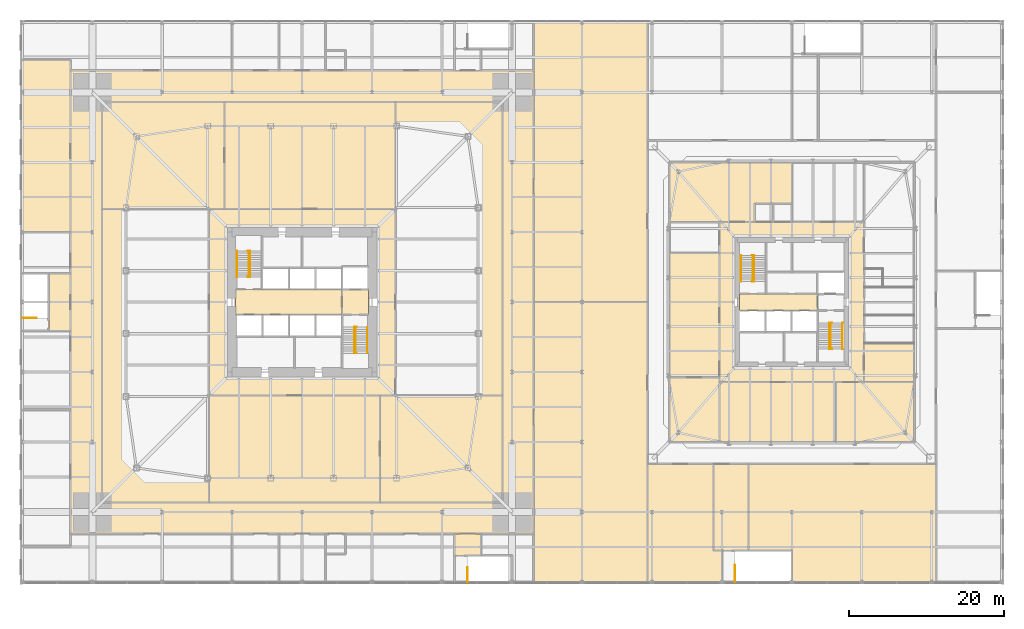
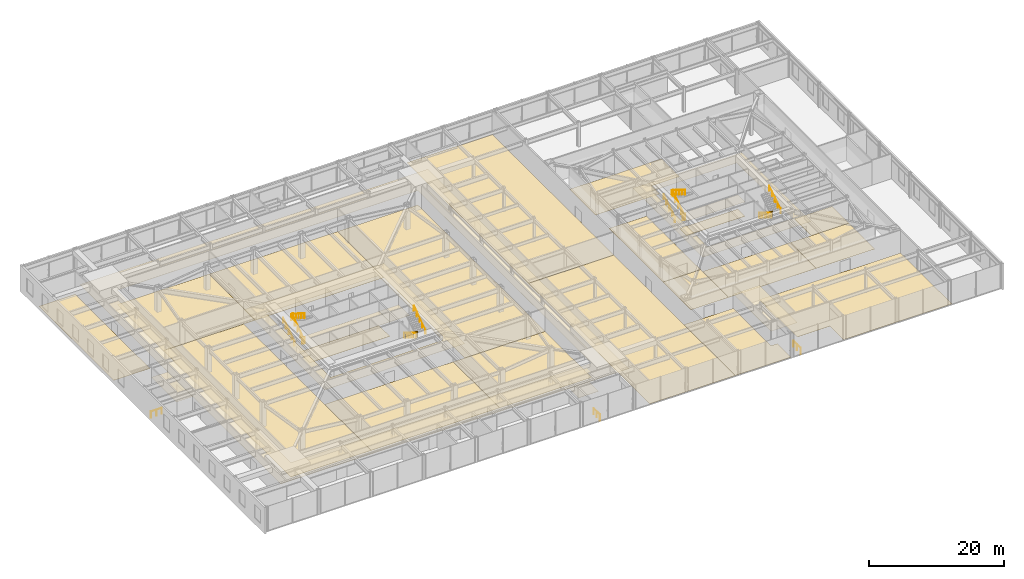
# One storey, part 29 of 30: 28 coverings, 15 railings.
"""IFC4 building model written with IfcOpenShell, lengths in metres."""

import ifcopenshell
import ifcopenshell.guid

model = None  # the IFC model being written
_history = None  # IfcOwnerHistory: only IFC2X3 demands one
_inside = {}  # id of a spatial element -> (the spatial element, [elements in it])
_under = {}  # id of a project, library or spatial element -> (it, [spatial elements below it])
_declared = {}  # id of a project -> (the project, [libraries it declares])
_typed = {}  # id of a type object -> (the type object, [elements of that type])
_made_of = {}  # id of a material, layer set ... -> (it, [elements and type objects made of it])


def new_model(schema):
    """Start an empty IFC model of exactly this schema.

    Asked for "IFC4X3", IfcOpenShell would pick the latest addendum, in which some entities
    have other attributes; the version numbers below select the first issue.
    IFC2X3 requires an IfcOwnerHistory on every rooted entity: one is made here for all.
    """
    global model, _history
    if schema == "IFC4X3":
        model = ifcopenshell.file(schema_version=(4, 3, 0, 0))
    else:
        model = ifcopenshell.file(schema=schema)
    _inside.clear()
    _under.clear()
    _declared.clear()
    _typed.clear()
    _made_of.clear()
    _history = None
    if model.schema == "IFC2X3":
        org = make("IfcOrganization", Name="unknown")
        user = make(
            "IfcPersonAndOrganization",
            ThePerson=make("IfcPerson", FamilyName="unknown"),
            TheOrganization=org,
        )
        app = make(
            "IfcApplication",
            ApplicationDeveloper=org,
            Version="unknown",
            ApplicationFullName="unknown",
            ApplicationIdentifier="unknown",
        )
        _history = make(
            "IfcOwnerHistory",
            OwningUser=user,
            OwningApplication=app,
            ChangeAction="ADDED",
            CreationDate=0,
        )
    return model


def make(cls, **values):
    """One entity of the class cls with the attributes given. An attribute that is None is left unset."""
    return model.create_entity(
        cls, **{name: value for name, value in values.items() if value is not None}
    )


def rooted(cls, **values):
    """An entity with a GlobalId (a new one), such as an element, a storey or a relation."""
    return make(cls, GlobalId=ifcopenshell.guid.new(), OwnerHistory=_history, **values)


def si_unit(unit_type, name, prefix=None):
    """IfcSIUnit, for example si_unit("LENGTHUNIT", "METRE", prefix="MILLI")."""
    return make("IfcSIUnit", UnitType=unit_type, Prefix=prefix, Name=name)


def assignment(units):
    """IfcUnitAssignment: the units of a project."""
    return None if units is None else make("IfcUnitAssignment", Units=units)


def point(xyz):
    """IfcCartesianPoint."""
    return None if xyz is None else make("IfcCartesianPoint", Coordinates=xyz)


def direction(xyz):
    """IfcDirection."""
    return None if xyz is None else make("IfcDirection", DirectionRatios=xyz)


def frame(location, z_axis=None, x_axis=None):
    """IfcAxis2Placement3D, a coordinate frame: its origin and axes. An axis left out is left unset."""
    return make(
        "IfcAxis2Placement3D",
        Location=point(location),
        Axis=direction(z_axis),
        RefDirection=direction(x_axis),
    )


def frame_2d(location, x_axis=None):
    """IfcAxis2Placement2D, a coordinate frame in the plane: its origin and x axis."""
    return make(
        "IfcAxis2Placement2D", Location=point(location), RefDirection=direction(x_axis)
    )


def origin():
    """The frame at (0, 0, 0) with its axes left unset."""
    return frame((0.0, 0.0, 0.0))


def origin_2d():
    """The frame at (0, 0) in the plane with its x axis left unset."""
    return frame_2d((0.0, 0.0))


def place(relative_to, where):
    """IfcLocalPlacement: puts the frame where relative to a parent placement (None: the world)."""
    return make(
        "IfcLocalPlacement", PlacementRelTo=relative_to, RelativePlacement=where
    )


def context(
    kind, dimensions, precision=None, world=None, true_north=None, identifier=None
):
    """IfcGeometricRepresentationContext, for example the 3D "Model" context."""
    return make(
        "IfcGeometricRepresentationContext",
        ContextIdentifier=identifier,
        ContextType=kind,
        CoordinateSpaceDimension=dimensions,
        Precision=precision,
        WorldCoordinateSystem=world,
        TrueNorth=true_north,
    )


def subcontext(parent, identifier, kind, view, scale=None):
    """IfcGeometricRepresentationSubContext, for example "Body" below "Model"."""
    return make(
        "IfcGeometricRepresentationSubContext",
        ContextIdentifier=identifier,
        ContextType=kind,
        ParentContext=parent,
        TargetScale=scale,
        TargetView=view,
    )


def project(units=None, contexts=None):
    """IfcProject with its units and contexts."""
    return rooted(
        "IfcProject",
        Name="project",
        RepresentationContexts=contexts,
        UnitsInContext=assignment(units),
    )


def spatial(cls, under=None, at=None, **own):
    """A site, building, storey or space (cls), placed at a placement, below another one or the project."""
    s = rooted(cls, ObjectPlacement=at, **own)
    if under is not None:
        _under.setdefault(under.id(), (under, []))[1].append(s)
    return s


def polyline(points):
    """IfcPolyline through the points."""
    return make("IfcPolyline", Points=[point(p) for p in points])


def profile(cls, at=None, kind="AREA", **sizes):
    """A parametric profile (cls). Its sizes go by their IFC names, for example OverallWidth=200.0."""
    return make(cls, ProfileType=kind, Position=at, **sizes)


def circle(**sizes):
    """IfcCircleProfileDef."""
    return profile("IfcCircleProfileDef", **sizes)


def outline(outer, holes=None, kind="AREA"):
    """IfcArbitraryClosedProfileDef: a profile drawn as a closed curve; with holes, ...WithVoids."""
    if holes is None:
        return make("IfcArbitraryClosedProfileDef", ProfileType=kind, OuterCurve=outer)
    return make(
        "IfcArbitraryProfileDefWithVoids",
        ProfileType=kind,
        OuterCurve=outer,
        InnerCurves=holes,
    )


def extrude(swept, where, along, depth):
    """IfcExtrudedAreaSolid: the profile swept, set in the frame where, extruded along a direction by depth."""
    return make(
        "IfcExtrudedAreaSolid",
        SweptArea=swept,
        Position=where,
        ExtrudedDirection=direction(along),
        Depth=depth,
    )


def shape(context_of_items, identifier, shape_type, items):
    """IfcShapeRepresentation: the items that make up one representation, for example the "Body"."""
    return make(
        "IfcShapeRepresentation",
        ContextOfItems=context_of_items,
        RepresentationIdentifier=identifier,
        RepresentationType=shape_type,
        Items=items,
    )


def material(Name=None, Category=None):
    """IfcMaterial."""
    return make("IfcMaterial", Name=Name, Category=Category)


def layer(
    of_material, thickness, ventilated=None, Name=None, Category=None, Priority=None
):
    """IfcMaterialLayer: one layer of a wall or slab, of a material (None: an air gap)."""
    return make(
        "IfcMaterialLayer",
        Material=of_material,
        LayerThickness=thickness,
        IsVentilated=ventilated,
        Name=Name,
        Category=Category,
        Priority=Priority,
    )


def layer_set(layers, Name=None):
    """IfcMaterialLayerSet."""
    return make("IfcMaterialLayerSet", MaterialLayers=layers, LayerSetName=Name)


def constituent(of_material, Name=None, Category=None, fraction=None):
    """IfcMaterialConstituent: one of the materials an element consists of."""
    return make(
        "IfcMaterialConstituent",
        Name=Name,
        Material=of_material,
        Fraction=fraction,
        Category=Category,
    )


def constituent_set(constituents=None, Name=None):
    """IfcMaterialConstituentSet."""
    return make(
        "IfcMaterialConstituentSet", Name=Name, MaterialConstituents=constituents
    )


def made_of(thing, what):
    """Note that an element or type object is made of a material, layer set ...; save() writes the relation."""
    if what is not None:
        _made_of.setdefault(what.id(), (what, []))[1].append(thing)
    return thing


def type_object(cls, material=None, **own):
    """A type object (cls), such as IfcWallType, which elements share."""
    return made_of(rooted(cls, **own), material)


def element(
    cls,
    number,
    at=None,
    inside=None,
    cuts=None,
    type_object=None,
    material=None,
    context=None,
    identifier="Body",
    shape_type=None,
    held_by="IfcProductDefinitionShape",
    body=None,
    shapes=None,
    **own,
):
    """One element of the class cls, such as IfcWall. Its Tag is "e" and its number.

    at: its placement. inside: the storey or other place that contains it. cuts: it is an
    opening in that element (IfcRelVoidsElement). A single representation is given by context,
    identifier, shape_type and body (its items); several are given by shapes. held_by: the class
    of the entity that holds the representations. save() writes the other relations.
    """
    e = rooted(cls, Tag="e%d" % number, ObjectPlacement=at, **own)
    if body is not None:
        shapes = [shape(context, identifier, shape_type, body)]
    if shapes is not None:
        e.Representation = make(held_by, Representations=shapes)
    if inside is not None:
        _inside.setdefault(inside.id(), (inside, []))[1].append(e)
    if cuts is not None:
        rooted(
            "IfcRelVoidsElement", RelatingBuildingElement=cuts, RelatedOpeningElement=e
        )
    if type_object is not None:
        _typed.setdefault(type_object.id(), (type_object, []))[1].append(e)
    return made_of(e, material)


def aggregate(whole, parts):
    """IfcRelAggregates: a whole, such as a stair, and the parts it consists of."""
    return rooted("IfcRelAggregates", RelatingObject=whole, RelatedObjects=parts)


def save(model, path):
    """Write the relations noted so far, then the file.

    IfcRelAggregates (storeys below a building ...), IfcRelContainedInSpatialStructure (elements
    in a storey), IfcRelDefinesByType, IfcRelAssociatesMaterial and IfcRelDeclares: one each for
    every whole, place, type object, material and project.
    """
    for whole, parts in _under.values():
        aggregate(whole, parts)
    for where, things in _inside.values():
        rooted(
            "IfcRelContainedInSpatialStructure",
            RelatedElements=things,
            RelatingStructure=where,
        )
    for kind, things in _typed.values():
        rooted("IfcRelDefinesByType", RelatedObjects=things, RelatingType=kind)
    for what, things in _made_of.values():
        rooted("IfcRelAssociatesMaterial", RelatedObjects=things, RelatingMaterial=what)
    for by, libraries in _declared.values():
        rooted("IfcRelDeclares", RelatingContext=by, RelatedDefinitions=libraries)
    model.write(path)


model = new_model("IFC4")

# Units and contexts
model_context = context("Model", 3, precision=1e-05, world=origin(), true_north=direction((0.0, 1.0)))
body_context = subcontext(model_context, "Body", "Model", "MODEL_VIEW")
ifc_project = project(units=[si_unit("LENGTHUNIT", "METRE"), si_unit("AREAUNIT", "SQUARE_METRE"), si_unit("VOLUMEUNIT", "CUBIC_METRE"), si_unit("PLANEANGLEUNIT", "RADIAN"), si_unit("MASSUNIT", "GRAM", prefix="KILO")], contexts=[model_context])

# Site, building, storey
site_placement = place(None, origin())
site = spatial("IfcSite", under=ifc_project, at=site_placement, CompositionType="ELEMENT")
building_placement = place(site_placement, origin())
building = spatial("IfcBuilding", under=site, at=building_placement, Name="Iwan Alto Co-Living Towers", CompositionType="ELEMENT")
storey_placement = place(building_placement, frame((0.0, 0.0, 10.5)))
storey = spatial("IfcBuildingStorey", under=building, at=storey_placement, Name="L02", CompositionType="ELEMENT", Elevation=10.5)

# Coverings
ifc_material_1 = material(Name="Mineral fibre acoustic tiles on steel grid", Category="steel")
ifc_layer_1 = layer(ifc_material_1, 0.02001953125)
ifc_layer_set_1 = layer_set([ifc_layer_1], Name="ACOUSTIC TILE CEILING 20")
covering_type_1 = type_object("IfcCoveringType", Name="ACOUSTIC TILE CEILING 20", PredefinedType="CEILING", material=ifc_layer_set_1)
covering_1_placement = place(storey_placement, frame((0.0, 0.0, 2.60009765625)))
element("IfcCovering", 1, at=covering_1_placement, inside=storey, type_object=covering_type_1, Name="Ceiling Lift lobby L02", PredefinedType="CEILING", context=body_context, shape_type="SweptSolid", body=[
    extrude(outline(polyline([(-8.550048828125, -1.60009765625), (-8.550048828125, 1.60009765625), (5.14990234375, 1.60009765625), (5.14990234375, -1.60009765625), (-8.550048828125, -1.60009765625)])), origin(), (0.0, 0.0, 1.0), 0.02001953125),
])
covering_2_placement = place(storey_placement, frame((0.0, 0.0, 2.60009765625)))
element("IfcCovering", 2, at=covering_2_placement, inside=storey, type_object=covering_type_1, Name="Ceiling Firefighting lobby L02", PredefinedType="CEILING", context=body_context, shape_type="SweptSolid", body=[
    extrude(outline(polyline([(5.14990234375, -1.60009765625), (5.14990234375, 1.60009765625), (8.550048828125, 1.60009765625), (8.550048828125, -1.60009765625), (5.14990234375, -1.60009765625)])), origin(), (0.0, 0.0, 1.0), 0.02001953125),
])
covering_3_placement = place(storey_placement, frame((0.0, 0.0, 2.60009765625)))
element("IfcCovering", 3, at=covering_3_placement, inside=storey, type_object=covering_type_1, Name="Ceiling Lift lobby L02", PredefinedType="CEILING", context=body_context, shape_type="SweptSolid", body=[
    extrude(outline(polyline([(56.300048828125, -1.050048828125), (56.300048828125, 1.050048828125), (66.300048828125, 1.050048828125), (66.300048828125, -1.050048828125), (56.300048828125, -1.050048828125)])), origin(), (0.0, 0.0, 1.0), 0.02001953125),
])

# Railings
ifc_material_2 = material(Name="Steel ASTM A500 Gr C", Category="steel")
ifc_constituent_1 = constituent(ifc_material_2, Name="Rails and posts", Category="Framing")
ifc_material_3 = material(Name="Steel ASTM A36", Category="steel")
ifc_constituent_2 = constituent(ifc_material_3, Name="Bar infill", Category="Infill")
ifc_constituent_set = constituent_set(constituents=[ifc_constituent_1, ifc_constituent_2], Name="STAIR GUARD 1100")
railing_type_1 = type_object("IfcRailingType", Name="STAIR GUARD 1100", PredefinedType="GUARDRAIL", material=ifc_constituent_set)
railing_1_placement = place(storey_placement, frame((-36.0, -2.030029296875, 0.0)))
element("IfcRailing", 4, at=railing_1_placement, inside=storey, type_object=railing_type_1, Name="Stair PS1 well guard L02", PredefinedType="GUARDRAIL", context=body_context, shape_type="SweptSolid", body=[
    extrude(circle(Radius=0.02392578125, at=origin_2d()), frame((0.0, 0.0, 1.076171875), z_axis=(1.0, 0.0, 0.0), x_axis=(0.0, 1.0, 0.0)), (0.0, 0.0, 1.0), 1.85009765625),
    extrude(circle(Radius=0.02099609375, at=origin_2d()), origin(), (0.0, 0.0, 1.0), 1.052001953125),
    extrude(circle(Radius=0.02099609375, at=origin_2d()), frame((0.925048828125, 0.0, 0.0)), (0.0, 0.0, 1.0), 1.052001953125),
    extrude(circle(Radius=0.02099609375, at=origin_2d()), frame((1.85009765625, 0.0, 0.0)), (0.0, 0.0, 1.0), 1.052001953125),
])
railing_2_placement = place(storey_placement, frame((21.27001953125, -36.0, 0.0)))
element("IfcRailing", 5, at=railing_2_placement, inside=storey, type_object=railing_type_1, Name="Stair PS4 well guard L02", PredefinedType="GUARDRAIL", context=body_context, shape_type="SweptSolid", body=[
    extrude(circle(Radius=0.02392578125, at=origin_2d()), frame((0.0, 0.0, 1.076171875), z_axis=(0.0, 1.0, 0.0), x_axis=(-1.0, 0.0, 0.0)), (0.0, 0.0, 1.0), 1.85009765625),
    extrude(circle(Radius=0.02099609375, at=origin_2d()), origin(), (0.0, 0.0, 1.0), 1.052001953125),
    extrude(circle(Radius=0.02099609375, at=origin_2d()), frame((0.0, 0.925048828125, 0.0)), (0.0, 0.0, 1.0), 1.052001953125),
    extrude(circle(Radius=0.02099609375, at=origin_2d()), frame((0.0, 1.85009765625, 0.0)), (0.0, 0.0, 1.0), 1.052001953125),
])
railing_3_placement = place(storey_placement, frame((55.669921875, -36.0, 0.0)))
element("IfcRailing", 6, at=railing_3_placement, inside=storey, type_object=railing_type_1, Name="Stair PS6 well guard L02", PredefinedType="GUARDRAIL", context=body_context, shape_type="SweptSolid", body=[
    extrude(circle(Radius=0.02392578125, at=origin_2d()), frame((0.0, 0.0, 1.076171875), z_axis=(0.0, 1.0, 0.0), x_axis=(-1.0, 0.0, 0.0)), (0.0, 0.0, 1.0), 2.169921875),
    extrude(circle(Radius=0.02099609375, at=origin_2d()), origin(), (0.0, 0.0, 1.0), 1.052001953125),
    extrude(circle(Radius=0.02099609375, at=origin_2d()), frame((0.0, 1.0849609375, 0.0)), (0.0, 0.0, 1.0), 1.052001953125),
    extrude(circle(Radius=0.02099609375, at=origin_2d()), frame((0.0, 2.169921875, 0.0)), (0.0, 0.0, 1.0), 1.052001953125),
])
railing_4_placement = place(storey_placement, frame((-6.85009765625, 3.219970703125, 0.0)))
element("IfcRailing", 7, at=railing_4_placement, inside=storey, type_object=railing_type_1, Name="Stair T1-S1 well guard L02", PredefinedType="GUARDRAIL", context=body_context, shape_type="SweptSolid", body=[
    extrude(circle(Radius=0.02392578125, at=origin_2d()), frame((0.0, 0.0, 1.076171875), z_axis=(0.0, 0.830915400975, 0.556398774641), x_axis=(-1.0, 0.0, 0.0)), (0.0, 0.0, 1.0), 4.0439453125),
    extrude(circle(Radius=0.02392578125, at=origin_2d()), frame((-0.14990234375, 0.0, 1.076171875), z_axis=(1.0, 0.0, 0.0), x_axis=(0.0, 1.0, 0.0)), (0.0, 0.0, 1.0), 0.300048828125),
    extrude(circle(Radius=0.02392578125, at=origin_2d()), frame((-0.14990234375, 3.360107421875, 3.326171875), z_axis=(1.0, 0.0, 0.0), x_axis=(0.0, 1.0, 0.0)), (0.0, 0.0, 1.0), 0.300048828125),
    extrude(circle(Radius=0.02099609375, at=origin_2d()), origin(), (0.0, 0.0, 1.0), 1.052001953125),
    extrude(circle(Radius=0.02099609375, at=origin_2d()), frame((0.0, 0.840087890625, 0.5625)), (0.0, 0.0, 1.0), 1.052001953125),
    extrude(circle(Radius=0.02099609375, at=origin_2d()), frame((0.0, 1.68017578125, 1.125)), (0.0, 0.0, 1.0), 1.052001953125),
    extrude(circle(Radius=0.02099609375, at=origin_2d()), frame((0.0, 2.52001953125, 1.6875)), (0.0, 0.0, 1.0), 1.052001953125),
    extrude(circle(Radius=0.02099609375, at=origin_2d()), frame((0.0, 3.360107421875, 2.25)), (0.0, 0.0, 1.0), 1.052001953125),
    extrude(circle(Radius=0.02099609375, at=origin_2d()), frame((-0.14990234375, 0.0, 0.0)), (0.0, 0.0, 1.0), 1.052001953125),
    extrude(circle(Radius=0.02099609375, at=origin_2d()), frame((0.150146484375, 0.0, 0.0)), (0.0, 0.0, 1.0), 1.052001953125),
    extrude(circle(Radius=0.02099609375, at=origin_2d()), frame((-0.14990234375, 3.360107421875, 2.25)), (0.0, 0.0, 1.0), 1.052001953125),
    extrude(circle(Radius=0.02099609375, at=origin_2d()), frame((0.150146484375, 3.360107421875, 2.25)), (0.0, 0.0, 1.0), 1.052001953125),
])
railing_5_placement = place(storey_placement, frame((6.85009765625, -3.219970703125, 0.0)))
element("IfcRailing", 8, at=railing_5_placement, inside=storey, type_object=railing_type_1, Name="Stair T1-S2 well guard L02", PredefinedType="GUARDRAIL", context=body_context, shape_type="SweptSolid", body=[
    extrude(circle(Radius=0.02392578125, at=origin_2d()), frame((0.0, 0.0, 1.076171875), z_axis=(0.0, -0.830915400975, 0.556398774641), x_axis=(1.0, 0.0, 0.0)), (0.0, 0.0, 1.0), 4.0439453125),
    extrude(circle(Radius=0.02392578125, at=origin_2d()), frame((-0.150146484375, 0.0, 1.076171875), z_axis=(1.0, 0.0, 0.0), x_axis=(0.0, 1.0, 0.0)), (0.0, 0.0, 1.0), 0.300048828125),
    extrude(circle(Radius=0.02392578125, at=origin_2d()), frame((-0.150146484375, -3.360107421875, 3.326171875), z_axis=(1.0, 0.0, 0.0), x_axis=(0.0, 1.0, 0.0)), (0.0, 0.0, 1.0), 0.300048828125),
    extrude(circle(Radius=0.02099609375, at=origin_2d()), origin(), (0.0, 0.0, 1.0), 1.052001953125),
    extrude(circle(Radius=0.02099609375, at=origin_2d()), frame((0.0, -0.840087890625, 0.5625)), (0.0, 0.0, 1.0), 1.052001953125),
    extrude(circle(Radius=0.02099609375, at=origin_2d()), frame((0.0, -1.68017578125, 1.125)), (0.0, 0.0, 1.0), 1.052001953125),
    extrude(circle(Radius=0.02099609375, at=origin_2d()), frame((0.0, -2.52001953125, 1.6875)), (0.0, 0.0, 1.0), 1.052001953125),
    extrude(circle(Radius=0.02099609375, at=origin_2d()), frame((0.0, -3.360107421875, 2.25)), (0.0, 0.0, 1.0), 1.052001953125),
    extrude(circle(Radius=0.02099609375, at=origin_2d()), frame((-0.150146484375, 0.0, 0.0)), (0.0, 0.0, 1.0), 1.052001953125),
    extrude(circle(Radius=0.02099609375, at=origin_2d()), frame((0.14990234375, 0.0, 0.0)), (0.0, 0.0, 1.0), 1.052001953125),
    extrude(circle(Radius=0.02099609375, at=origin_2d()), frame((-0.150146484375, -3.360107421875, 2.25)), (0.0, 0.0, 1.0), 1.052001953125),
    extrude(circle(Radius=0.02099609375, at=origin_2d()), frame((0.14990234375, -3.360107421875, 2.25)), (0.0, 0.0, 1.0), 1.052001953125),
])
railing_6_placement = place(storey_placement, frame((58.0, 2.669921875, 0.0)))
element("IfcRailing", 9, at=railing_6_placement, inside=storey, type_object=railing_type_1, Name="Stair T2-S1 well guard L02", PredefinedType="GUARDRAIL", context=body_context, shape_type="SweptSolid", body=[
    extrude(circle(Radius=0.02392578125, at=origin_2d()), frame((0.0, 0.0, 1.076171875), z_axis=(0.0, 0.830915400975, 0.556398774641), x_axis=(-1.0, 0.0, 0.0)), (0.0, 0.0, 1.0), 4.0439453125),
    extrude(circle(Radius=0.02392578125, at=origin_2d()), frame((-0.14990234375, 0.0, 1.076171875), z_axis=(1.0, 0.0, 0.0), x_axis=(0.0, 1.0, 0.0)), (0.0, 0.0, 1.0), 0.2998046875),
    extrude(circle(Radius=0.02392578125, at=origin_2d()), frame((-0.14990234375, 3.360107421875, 3.326171875), z_axis=(1.0, 0.0, 0.0), x_axis=(0.0, 1.0, 0.0)), (0.0, 0.0, 1.0), 0.2998046875),
    extrude(circle(Radius=0.02099609375, at=origin_2d()), origin(), (0.0, 0.0, 1.0), 1.052001953125),
    extrude(circle(Radius=0.02099609375, at=origin_2d()), frame((0.0, 0.840087890625, 0.5625)), (0.0, 0.0, 1.0), 1.052001953125),
    extrude(circle(Radius=0.02099609375, at=origin_2d()), frame((0.0, 1.68017578125, 1.125)), (0.0, 0.0, 1.0), 1.052001953125),
    extrude(circle(Radius=0.02099609375, at=origin_2d()), frame((0.0, 2.52001953125, 1.6875)), (0.0, 0.0, 1.0), 1.052001953125),
    extrude(circle(Radius=0.02099609375, at=origin_2d()), frame((0.0, 3.360107421875, 2.25)), (0.0, 0.0, 1.0), 1.052001953125),
    extrude(circle(Radius=0.02099609375, at=origin_2d()), frame((-0.14990234375, 0.0, 0.0)), (0.0, 0.0, 1.0), 1.052001953125),
    extrude(circle(Radius=0.02099609375, at=origin_2d()), frame((0.14990234375, 0.0, 0.0)), (0.0, 0.0, 1.0), 1.052001953125),
    extrude(circle(Radius=0.02099609375, at=origin_2d()), frame((-0.14990234375, 3.360107421875, 2.25)), (0.0, 0.0, 1.0), 1.052001953125),
    extrude(circle(Radius=0.02099609375, at=origin_2d()), frame((0.14990234375, 3.360107421875, 2.25)), (0.0, 0.0, 1.0), 1.052001953125),
])
railing_7_placement = place(storey_placement, frame((68.0, -2.669921875, 0.0)))
element("IfcRailing", 10, at=railing_7_placement, inside=storey, type_object=railing_type_1, Name="Stair T2-S2 well guard L02", PredefinedType="GUARDRAIL", context=body_context, shape_type="SweptSolid", body=[
    extrude(circle(Radius=0.02392578125, at=origin_2d()), frame((0.0, 0.0, 1.076171875), z_axis=(0.0, -0.830915400975, 0.556398774641), x_axis=(1.0, 0.0, 0.0)), (0.0, 0.0, 1.0), 4.0439453125),
    extrude(circle(Radius=0.02392578125, at=origin_2d()), frame((-0.14990234375, 0.0, 1.076171875), z_axis=(1.0, 0.0, 0.0), x_axis=(0.0, 1.0, 0.0)), (0.0, 0.0, 1.0), 0.2998046875),
    extrude(circle(Radius=0.02392578125, at=origin_2d()), frame((-0.14990234375, -3.360107421875, 3.326171875), z_axis=(1.0, 0.0, 0.0), x_axis=(0.0, 1.0, 0.0)), (0.0, 0.0, 1.0), 0.2998046875),
    extrude(circle(Radius=0.02099609375, at=origin_2d()), origin(), (0.0, 0.0, 1.0), 1.052001953125),
    extrude(circle(Radius=0.02099609375, at=origin_2d()), frame((0.0, -0.840087890625, 0.5625)), (0.0, 0.0, 1.0), 1.052001953125),
    extrude(circle(Radius=0.02099609375, at=origin_2d()), frame((0.0, -1.68017578125, 1.125)), (0.0, 0.0, 1.0), 1.052001953125),
    extrude(circle(Radius=0.02099609375, at=origin_2d()), frame((0.0, -2.52001953125, 1.6875)), (0.0, 0.0, 1.0), 1.052001953125),
    extrude(circle(Radius=0.02099609375, at=origin_2d()), frame((0.0, -3.360107421875, 2.25)), (0.0, 0.0, 1.0), 1.052001953125),
    extrude(circle(Radius=0.02099609375, at=origin_2d()), frame((-0.14990234375, 0.0, 0.0)), (0.0, 0.0, 1.0), 1.052001953125),
    extrude(circle(Radius=0.02099609375, at=origin_2d()), frame((0.14990234375, 0.0, 0.0)), (0.0, 0.0, 1.0), 1.052001953125),
    extrude(circle(Radius=0.02099609375, at=origin_2d()), frame((-0.14990234375, -3.360107421875, 2.25)), (0.0, 0.0, 1.0), 1.052001953125),
    extrude(circle(Radius=0.02099609375, at=origin_2d()), frame((0.14990234375, -3.360107421875, 2.25)), (0.0, 0.0, 1.0), 1.052001953125),
])
ifc_material_4 = material(Name="Steel ASTM A500 Gr C", Category="steel")
railing_type_2 = type_object("IfcRailingType", Name="STAIR HANDRAIL 900", PredefinedType="HANDRAIL", material=ifc_material_4)
railing_8_placement = place(storey_placement, frame((-8.3798828125, 3.219970703125, 0.173095703125)))
element("IfcRailing", 11, at=railing_8_placement, inside=storey, type_object=railing_type_2, Name="Stair T1-S1 handrail 1 L02", PredefinedType="HANDRAIL", context=body_context, shape_type="SweptSolid", body=[
    extrude(circle(Radius=0.02392578125, at=origin_2d()), frame((0.0, 0.0, 0.8759765625), z_axis=(0.0, 0.850623216509, 0.525775754039), x_axis=(-1.0, 0.0, 0.0)), (0.0, 0.0, 1.0), 3.9501953125),
    extrude(circle(Radius=0.02099609375, at=origin_2d()), origin(), (0.0, 0.0, 1.0), 0.851806640625),
    extrude(circle(Radius=0.02099609375, at=origin_2d()), frame((0.0, 0.840087890625, 0.519287109375)), (0.0, 0.0, 1.0), 0.851806640625),
    extrude(circle(Radius=0.02099609375, at=origin_2d()), frame((0.0, 1.68017578125, 1.03857421875)), (0.0, 0.0, 1.0), 0.851806640625),
    extrude(circle(Radius=0.02099609375, at=origin_2d()), frame((0.0, 2.52001953125, 1.5576171875)), (0.0, 0.0, 1.0), 0.851806640625),
    extrude(circle(Radius=0.02099609375, at=origin_2d()), frame((0.0, 3.360107421875, 2.076904296875)), (0.0, 0.0, 1.0), 0.851806640625),
])
for number, where, name in (
    (12, (-6.699951171875, 6.580078125, 2.423095703125), "Stair T1-S1 handrail 2 L02"),
    (13, (6.699951171875, -3.219970703125, 0.173095703125), "Stair T1-S2 handrail 1 L02"),
):
    element("IfcRailing", number, at=place(storey_placement, frame(where)), inside=storey, type_object=railing_type_2, Name=name, PredefinedType="HANDRAIL", context=body_context, shape_type="SweptSolid", body=[
        extrude(circle(Radius=0.02392578125, at=origin_2d()), frame((0.0, 0.0, 0.8759765625), z_axis=(0.0, -0.850623216509, 0.525775754039), x_axis=(1.0, 0.0, 0.0)), (0.0, 0.0, 1.0), 3.9501953125),
        extrude(circle(Radius=0.02099609375, at=origin_2d()), origin(), (0.0, 0.0, 1.0), 0.851806640625),
        extrude(circle(Radius=0.02099609375, at=origin_2d()), frame((0.0, -0.840087890625, 0.519287109375)), (0.0, 0.0, 1.0), 0.851806640625),
        extrude(circle(Radius=0.02099609375, at=origin_2d()), frame((0.0, -1.68017578125, 1.03857421875)), (0.0, 0.0, 1.0), 0.851806640625),
        extrude(circle(Radius=0.02099609375, at=origin_2d()), frame((0.0, -2.52001953125, 1.5576171875)), (0.0, 0.0, 1.0), 0.851806640625),
        extrude(circle(Radius=0.02099609375, at=origin_2d()), frame((0.0, -3.360107421875, 2.076904296875)), (0.0, 0.0, 1.0), 0.851806640625),
    ])
for number, where, name in (
    (14, (8.3798828125, -6.580078125, 2.423095703125), "Stair T1-S2 handrail 2 L02"),
    (15, (56.469970703125, 2.669921875, 0.173095703125), "Stair T2-S1 handrail 1 L02"),
):
    element("IfcRailing", number, at=place(storey_placement, frame(where)), inside=storey, type_object=railing_type_2, Name=name, PredefinedType="HANDRAIL", context=body_context, shape_type="SweptSolid", body=[
        extrude(circle(Radius=0.02392578125, at=origin_2d()), frame((0.0, 0.0, 0.8759765625), z_axis=(0.0, 0.850623216509, 0.525775754039), x_axis=(-1.0, 0.0, 0.0)), (0.0, 0.0, 1.0), 3.9501953125),
        extrude(circle(Radius=0.02099609375, at=origin_2d()), origin(), (0.0, 0.0, 1.0), 0.851806640625),
        extrude(circle(Radius=0.02099609375, at=origin_2d()), frame((0.0, 0.840087890625, 0.519287109375)), (0.0, 0.0, 1.0), 0.851806640625),
        extrude(circle(Radius=0.02099609375, at=origin_2d()), frame((0.0, 1.68017578125, 1.03857421875)), (0.0, 0.0, 1.0), 0.851806640625),
        extrude(circle(Radius=0.02099609375, at=origin_2d()), frame((0.0, 2.52001953125, 1.5576171875)), (0.0, 0.0, 1.0), 0.851806640625),
        extrude(circle(Radius=0.02099609375, at=origin_2d()), frame((0.0, 3.360107421875, 2.076904296875)), (0.0, 0.0, 1.0), 0.851806640625),
    ])
for number, where, name in (
    (16, (58.14990234375, 6.030029296875, 2.423095703125), "Stair T2-S1 handrail 2 L02"),
    (17, (67.85009765625, -2.669921875, 0.173095703125), "Stair T2-S2 handrail 1 L02"),
):
    element("IfcRailing", number, at=place(storey_placement, frame(where)), inside=storey, type_object=railing_type_2, Name=name, PredefinedType="HANDRAIL", context=body_context, shape_type="SweptSolid", body=[
        extrude(circle(Radius=0.02392578125, at=origin_2d()), frame((0.0, 0.0, 0.8759765625), z_axis=(0.0, -0.850623216509, 0.525775754039), x_axis=(1.0, 0.0, 0.0)), (0.0, 0.0, 1.0), 3.9501953125),
        extrude(circle(Radius=0.02099609375, at=origin_2d()), origin(), (0.0, 0.0, 1.0), 0.851806640625),
        extrude(circle(Radius=0.02099609375, at=origin_2d()), frame((0.0, -0.840087890625, 0.519287109375)), (0.0, 0.0, 1.0), 0.851806640625),
        extrude(circle(Radius=0.02099609375, at=origin_2d()), frame((0.0, -1.68017578125, 1.03857421875)), (0.0, 0.0, 1.0), 0.851806640625),
        extrude(circle(Radius=0.02099609375, at=origin_2d()), frame((0.0, -2.52001953125, 1.5576171875)), (0.0, 0.0, 1.0), 0.851806640625),
        extrude(circle(Radius=0.02099609375, at=origin_2d()), frame((0.0, -3.360107421875, 2.076904296875)), (0.0, 0.0, 1.0), 0.851806640625),
    ])
railing_9_placement = place(storey_placement, frame((69.530029296875, -6.030029296875, 2.423095703125)))
element("IfcRailing", 18, at=railing_9_placement, inside=storey, type_object=railing_type_2, Name="Stair T2-S2 handrail 2 L02", PredefinedType="HANDRAIL", context=body_context, shape_type="SweptSolid", body=[
    extrude(circle(Radius=0.02392578125, at=origin_2d()), frame((0.0, 0.0, 0.8759765625), z_axis=(0.0, 0.850623216509, 0.525775754039), x_axis=(-1.0, 0.0, 0.0)), (0.0, 0.0, 1.0), 3.9501953125),
    extrude(circle(Radius=0.02099609375, at=origin_2d()), origin(), (0.0, 0.0, 1.0), 0.851806640625),
    extrude(circle(Radius=0.02099609375, at=origin_2d()), frame((0.0, 0.840087890625, 0.519287109375)), (0.0, 0.0, 1.0), 0.851806640625),
    extrude(circle(Radius=0.02099609375, at=origin_2d()), frame((0.0, 1.68017578125, 1.03857421875)), (0.0, 0.0, 1.0), 0.851806640625),
    extrude(circle(Radius=0.02099609375, at=origin_2d()), frame((0.0, 2.52001953125, 1.5576171875)), (0.0, 0.0, 1.0), 0.851806640625),
    extrude(circle(Radius=0.02099609375, at=origin_2d()), frame((0.0, 3.360107421875, 2.076904296875)), (0.0, 0.0, 1.0), 0.851806640625),
])

# Coverings
ifc_material_5 = material(Name="Gypsum plasterboard on steel grid", Category="steel")
ifc_layer_2 = layer(ifc_material_5, 0.014892578125)
ifc_layer_set_2 = layer_set([ifc_layer_2], Name="SUSPENDED PLASTERBOARD CEILING 15")
covering_type_2 = type_object("IfcCoveringType", Name="SUSPENDED PLASTERBOARD CEILING 15", PredefinedType="CEILING", material=ifc_layer_set_2)
covering_4_placement = place(storey_placement, frame((0.0, 0.0, 2.60009765625)))
element("IfcCovering", 19, at=covering_4_placement, inside=storey, type_object=covering_type_2, Name="Ceiling Corridor L02", PredefinedType="CEILING", context=body_context, shape_type="SweptSolid", body=[
    extrude(outline(polyline([(-12.0, 12.0), (12.0, 12.0), (12.0, -12.0), (-12.0, -12.0), (-12.0, 12.0)]), holes=[polyline([(-9.60009765625, 9.60009765625), (-9.60009765625, -9.60009765625), (9.60009765625, -9.60009765625), (9.60009765625, 9.60009765625), (-9.60009765625, 9.60009765625)])]), origin(), (0.0, 0.0, 1.0), 0.014892578125),
])
covering_5_placement = place(storey_placement, frame((0.0, 0.0, 2.60009765625)))
element("IfcCovering", 20, at=covering_5_placement, inside=storey, type_object=covering_type_2, Name="Ceiling Corridor L02", PredefinedType="CEILING", context=body_context, shape_type="SweptSolid", body=[
    extrude(outline(polyline([(53.699951171875, 10.300048828125), (72.300048828125, 10.300048828125), (72.300048828125, -10.300048828125), (53.699951171875, -10.300048828125), (53.699951171875, 10.300048828125)]), holes=[polyline([(55.699951171875, 8.300048828125), (55.699951171875, -8.300048828125), (70.300048828125, -8.300048828125), (70.300048828125, 8.300048828125), (55.699951171875, 8.300048828125)])]), origin(), (0.0, 0.0, 1.0), 0.014892578125),
])
covering_6_placement = place(storey_placement, frame((0.0, 0.0, 2.60009765625)))
element("IfcCovering", 21, at=covering_6_placement, inside=storey, type_object=covering_type_2, Name="Ceiling Gallery T1 L02", PredefinedType="CEILING", context=body_context, shape_type="SweptSolid", body=[
    extrude(outline(polyline([(19.60009765625, 29.800048828125), (23.0, 29.800048828125), (29.800048828125, 29.800048828125), (29.800048828125, -29.800048828125), (23.0, -29.800048828125), (19.60009765625, -29.800048828125), (-29.800048828125, -29.800048828125), (-29.800048828125, 29.800048828125), (19.60009765625, 29.800048828125)]), holes=[polyline([(-25.75, -25.75), (25.75, -25.75), (25.75, 25.75), (-25.75, 25.75), (-25.75, -25.75)])]), origin(), (0.0, 0.0, 1.0), 0.014892578125),
])
covering_7_placement = place(storey_placement, frame((0.0, 0.0, 2.60009765625)))
element("IfcCovering", 22, at=covering_7_placement, inside=storey, type_object=covering_type_2, Name="Ceiling Stair lobby L02", PredefinedType="CEILING", context=body_context, shape_type="SweptSolid", body=[
    extrude(outline(polyline([(-32.60009765625, -3.699951171875), (-32.60009765625, 3.699951171875), (-29.800048828125, 3.699951171875), (-29.800048828125, -3.699951171875), (-32.60009765625, -3.699951171875)])), origin(), (0.0, 0.0, 1.0), 0.014892578125),
])
covering_8_placement = place(storey_placement, frame((0.0, 0.0, 2.60009765625)))
element("IfcCovering", 23, at=covering_8_placement, inside=storey, type_object=covering_type_2, Name="Ceiling Stair lobby L02", PredefinedType="CEILING", context=body_context, shape_type="SweptSolid", body=[
    extrude(outline(polyline([(19.60009765625, -32.60009765625), (19.60009765625, -29.800048828125), (23.0, -29.800048828125), (23.0, -32.60009765625), (19.60009765625, -32.60009765625)])), origin(), (0.0, 0.0, 1.0), 0.014892578125),
])
covering_9_placement = place(storey_placement, frame((0.0, 0.0, 2.60009765625)))
element("IfcCovering", 24, at=covering_9_placement, inside=storey, type_object=covering_type_2, Name="Ceiling Stair lobby L02", PredefinedType="CEILING", context=body_context, shape_type="SweptSolid", body=[
    extrude(outline(polyline([(52.89990234375, -31.9599609375), (52.89990234375, -20.800048828125), (57.39990234375, -20.800048828125), (57.39990234375, -31.9599609375), (52.89990234375, -31.9599609375)])), origin(), (0.0, 0.0, 1.0), 0.014892578125),
])
ifc_material_6 = material(Name="Bronze-strip terrazzo")
ifc_layer_3 = layer(ifc_material_6, 0.030029296875)
ifc_layer_set_3 = layer_set([ifc_layer_3], Name="TERRAZZO FLOOR FINISH 30")
covering_type_3 = type_object("IfcCoveringType", Name="TERRAZZO FLOOR FINISH 30", PredefinedType="FLOORING", material=ifc_layer_set_3)
covering_10_placement = place(storey_placement, origin())
element("IfcCovering", 25, at=covering_10_placement, inside=storey, type_object=covering_type_3, Name="Floor finish Lift lobby L02", PredefinedType="FLOORING", context=body_context, shape_type="SweptSolid", body=[
    extrude(outline(polyline([(-8.550048828125, -1.60009765625), (-8.550048828125, 1.60009765625), (5.14990234375, 1.60009765625), (5.14990234375, -1.60009765625), (-8.550048828125, -1.60009765625)])), origin(), (0.0, 0.0, 1.0), 0.030029296875),
])
covering_11_placement = place(storey_placement, origin())
element("IfcCovering", 26, at=covering_11_placement, inside=storey, type_object=covering_type_3, Name="Floor finish Lift lobby L02", PredefinedType="FLOORING", context=body_context, shape_type="SweptSolid", body=[
    extrude(outline(polyline([(56.300048828125, -1.050048828125), (56.300048828125, 1.050048828125), (66.300048828125, 1.050048828125), (66.300048828125, -1.050048828125), (56.300048828125, -1.050048828125)])), origin(), (0.0, 0.0, 1.0), 0.030029296875),
])
ifc_material_7 = material(Name="Engineered oak boards")
ifc_layer_4 = layer(ifc_material_7, 0.02001953125)
ifc_layer_set_4 = layer_set([ifc_layer_4], Name="TIMBER FLOOR FINISH 20")
covering_type_4 = type_object("IfcCoveringType", Name="TIMBER FLOOR FINISH 20", PredefinedType="FLOORING", material=ifc_layer_set_4)
covering_12_placement = place(storey_placement, origin())
element("IfcCovering", 27, at=covering_12_placement, inside=storey, type_object=covering_type_4, Name="Floor finish Library L02", PredefinedType="FLOORING", context=body_context, shape_type="SweptSolid", body=[
    extrude(outline(polyline([(-12.0, -25.75), (-12.0, -12.0), (10.0, -12.0), (10.0, -25.75), (-12.0, -25.75)])), origin(), (0.0, 0.0, 1.0), 0.02001953125),
])
covering_13_placement = place(storey_placement, origin())
element("IfcCovering", 28, at=covering_13_placement, inside=storey, type_object=covering_type_4, Name="Floor finish Study lounge L02", PredefinedType="FLOORING", context=body_context, shape_type="SweptSolid", body=[
    extrude(outline(polyline([(10.0, -25.75), (10.0, -12.0), (25.75, -12.0), (25.75, -25.75), (10.0, -25.75)])), origin(), (0.0, 0.0, 1.0), 0.02001953125),
])
covering_14_placement = place(storey_placement, origin())
element("IfcCovering", 29, at=covering_14_placement, inside=storey, type_object=covering_type_4, Name="Floor finish Residents' study hall L02", PredefinedType="FLOORING", context=body_context, shape_type="SweptSolid", body=[
    extrude(outline(polyline([(12.0, -12.0), (12.0, 25.75), (25.75, 25.75), (25.75, -12.0), (12.0, -12.0)])), origin(), (0.0, 0.0, 1.0), 0.02001953125),
])
covering_15_placement = place(storey_placement, origin())
element("IfcCovering", 30, at=covering_15_placement, inside=storey, type_object=covering_type_4, Name="Floor finish Co-working studio L02", PredefinedType="FLOORING", context=body_context, shape_type="SweptSolid", body=[
    extrude(outline(polyline([(-10.0, 12.0), (-10.0, 25.75), (12.0, 25.75), (12.0, 12.0), (-10.0, 12.0)])), origin(), (0.0, 0.0, 1.0), 0.02001953125),
])
covering_16_placement = place(storey_placement, origin())
element("IfcCovering", 31, at=covering_16_placement, inside=storey, type_object=covering_type_4, Name="Floor finish Meeting room L02", PredefinedType="FLOORING", context=body_context, shape_type="SweptSolid", body=[
    extrude(outline(polyline([(-25.75, 12.0), (-25.75, 25.75), (-10.0, 25.75), (-10.0, 12.0), (-25.75, 12.0)])), origin(), (0.0, 0.0, 1.0), 0.02001953125),
])
covering_17_placement = place(storey_placement, origin())
element("IfcCovering", 32, at=covering_17_placement, inside=storey, type_object=covering_type_4, Name="Floor finish Games room L02", PredefinedType="FLOORING", context=body_context, shape_type="SweptSolid", body=[
    extrude(outline(polyline([(-25.75, -25.75), (-25.75, 12.0), (-12.0, 12.0), (-12.0, -25.75), (-25.75, -25.75)])), origin(), (0.0, 0.0, 1.0), 0.02001953125),
])
covering_18_placement = place(storey_placement, origin())
element("IfcCovering", 33, at=covering_18_placement, inside=storey, type_object=covering_type_4, Name="Floor finish Co-working zone L02", PredefinedType="FLOORING", context=body_context, shape_type="SweptSolid", body=[
    extrude(outline(polyline([(53.699951171875, -18.0), (53.699951171875, -10.300048828125), (68.699951171875, -10.300048828125), (68.699951171875, -18.0), (53.699951171875, -18.0)])), origin(), (0.0, 0.0, 1.0), 0.02001953125),
])
covering_19_placement = place(storey_placement, origin())
element("IfcCovering", 34, at=covering_19_placement, inside=storey, type_object=covering_type_4, Name="Floor finish Meeting room L02", PredefinedType="FLOORING", context=body_context, shape_type="SweptSolid", body=[
    extrude(outline(polyline([(68.699951171875, -18.0), (68.699951171875, -10.300048828125), (78.75, -10.300048828125), (78.75, -18.0), (68.699951171875, -18.0)])), origin(), (0.0, 0.0, 1.0), 0.02001953125),
])
covering_20_placement = place(storey_placement, origin())
element("IfcCovering", 35, at=covering_20_placement, inside=storey, type_object=covering_type_4, Name="Floor finish Tea point L02", PredefinedType="FLOORING", context=body_context, shape_type="SweptSolid", body=[
    extrude(outline(polyline([(72.300048828125, -10.300048828125), (72.300048828125, -5.300048828125), (78.75, -5.300048828125), (78.75, -10.300048828125), (72.300048828125, -10.300048828125)])), origin(), (0.0, 0.0, 1.0), 0.02001953125),
])
covering_21_placement = place(storey_placement, origin())
element("IfcCovering", 36, at=covering_21_placement, inside=storey, type_object=covering_type_4, Name="Floor finish Training room L02", PredefinedType="FLOORING", context=body_context, shape_type="SweptSolid", body=[
    extrude(outline(polyline([(47.25, 10.300048828125), (47.25, 18.0), (58.199951171875, 18.0), (60.60009765625, 18.0), (63.0, 18.0), (63.0, 12.699951171875), (60.60009765625, 12.699951171875), (58.199951171875, 12.699951171875), (58.199951171875, 10.300048828125), (47.25, 10.300048828125)])), origin(), (0.0, 0.0, 1.0), 0.02001953125),
])
covering_22_placement = place(storey_placement, origin())
element("IfcCovering", 37, at=covering_22_placement, inside=storey, type_object=covering_type_4, Name="Floor finish Co-working zone L02", PredefinedType="FLOORING", context=body_context, shape_type="SweptSolid", body=[
    extrude(outline(polyline([(47.25, -9.699951171875), (47.25, 6.300048828125), (53.699951171875, 6.300048828125), (53.699951171875, -9.699951171875), (47.25, -9.699951171875)])), origin(), (0.0, 0.0, 1.0), 0.02001953125),
])
covering_23_placement = place(storey_placement, origin())
element("IfcCovering", 38, at=covering_23_placement, inside=storey, type_object=covering_type_4, Name="Floor finish Meeting room L02", PredefinedType="FLOORING", context=body_context, shape_type="SweptSolid", body=[
    extrude(outline(polyline([(47.25, -18.0), (47.25, -9.699951171875), (53.699951171875, -9.699951171875), (53.699951171875, -18.0), (47.25, -18.0)])), origin(), (0.0, 0.0, 1.0), 0.02001953125),
])
covering_24_placement = place(storey_placement, origin())
element("IfcCovering", 39, at=covering_24_placement, inside=storey, type_object=covering_type_4, Name="Floor finish Workshop L02", PredefinedType="FLOORING", context=body_context, shape_type="SweptSolid", body=[
    extrude(outline(polyline([(-29.800048828125, 31.14990234375), (-29.800048828125, 9.0), (-36.0, 9.0), (-36.0, 31.14990234375), (-29.800048828125, 31.14990234375)])), origin(), (0.0, 0.0, 1.0), 0.02001953125),
])
covering_25_placement = place(storey_placement, origin())
element("IfcCovering", 40, at=covering_25_placement, inside=storey, type_object=covering_type_4, Name="Floor finish Multipurpose hall L02", PredefinedType="FLOORING", context=body_context, shape_type="SweptSolid", body=[
    extrude(outline(polyline([(44.449951171875, 0.0), (44.449951171875, -36.0), (29.800048828125, -36.0), (29.800048828125, 0.0), (44.449951171875, 0.0)])), origin(), (0.0, 0.0, 1.0), 0.02001953125),
])
covering_26_placement = place(storey_placement, origin())
element("IfcCovering", 41, at=covering_26_placement, inside=storey, type_object=covering_type_4, Name="Floor finish Co-working lounge L02", PredefinedType="FLOORING", context=body_context, shape_type="SweptSolid", body=[
    extrude(outline(polyline([(44.449951171875, 36.0), (44.449951171875, 0.0), (29.800048828125, 0.0), (29.800048828125, 36.0), (44.449951171875, 36.0)])), origin(), (0.0, 0.0, 1.0), 0.02001953125),
])
covering_27_placement = place(storey_placement, origin())
element("IfcCovering", 42, at=covering_27_placement, inside=storey, type_object=covering_type_4, Name="Floor finish Quiet study room L02", PredefinedType="FLOORING", context=body_context, shape_type="SweptSolid", body=[
    extrude(outline(polyline([(54.0, -36.0), (44.449951171875, -36.0), (44.449951171875, -20.800048828125), (52.89990234375, -20.800048828125), (52.89990234375, -31.9599609375), (54.0, -31.9599609375), (54.0, -36.0)])), origin(), (0.0, 0.0, 1.0), 0.02001953125),
])
covering_28_placement = place(storey_placement, origin())
element("IfcCovering", 43, at=covering_28_placement, inside=storey, type_object=covering_type_4, Name="Floor finish Open-plan office L02", PredefinedType="FLOORING", context=body_context, shape_type="SweptSolid", body=[
    extrude(outline(polyline([(81.550048828125, -36.0), (63.0, -36.0), (63.0, -31.9599609375), (57.39990234375, -31.9599609375), (57.39990234375, -20.800048828125), (81.550048828125, -20.800048828125), (81.550048828125, -36.0)])), origin(), (0.0, 0.0, 1.0), 0.02001953125),
])

save(model, "model.ifc")
